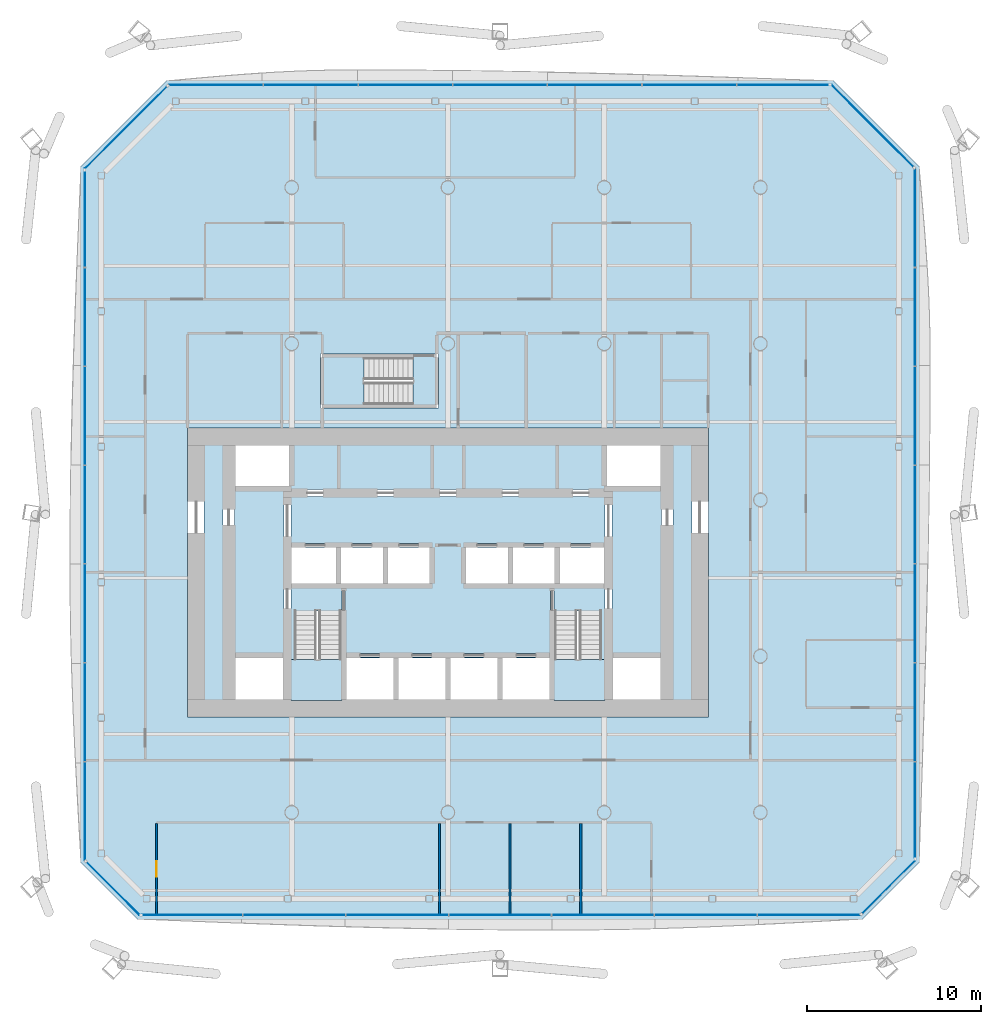
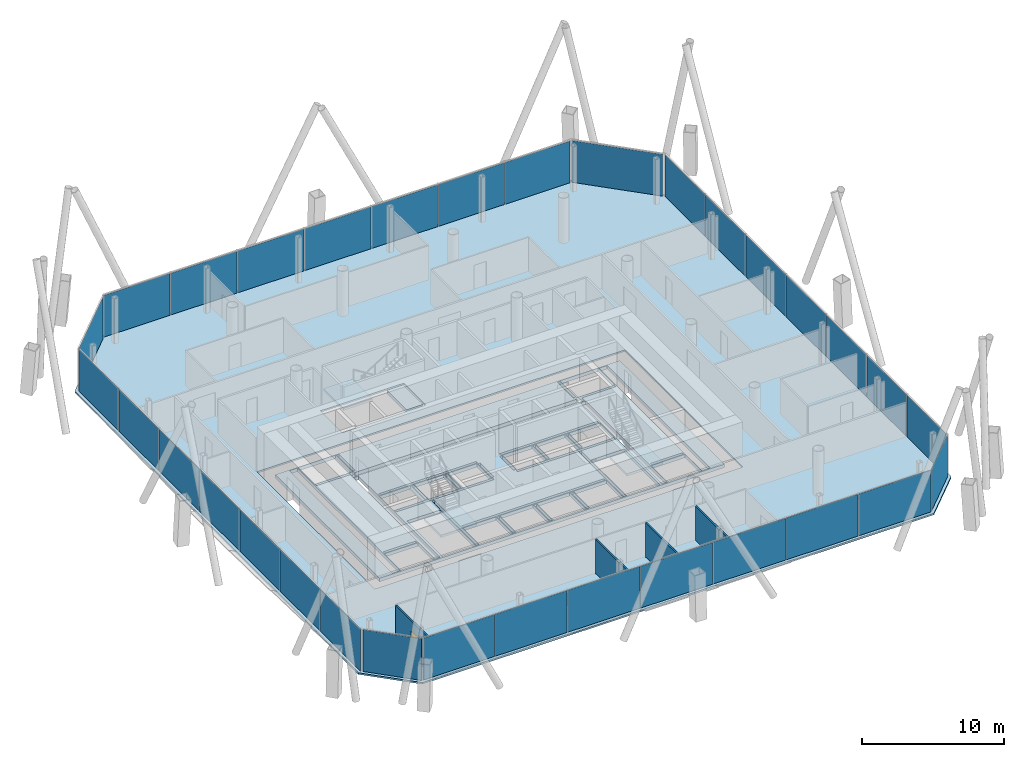
# One storey, part 13 of 22: 32 plates, 6 slabs, 4 walls, 1 door, 1 opening, 11 elements without a shape of their own.
"""IFC4 building model written with IfcOpenShell, lengths in metres."""

from ifc_helpers import new_model, si_unit, direction, frame, frame_2d, origin, origin_2d, place, context, subcontext, project, spatial, polyline, rectangle, outline, extrude, material, layer, layer_set, type_object, element, fill, aggregate, save


model = new_model("IFC4")

# Units and contexts
model_context = context("Model", 3, precision=1e-05, world=origin(), true_north=direction((0.0, 1.0)))
body_context = subcontext(model_context, "Body", "Model", "MODEL_VIEW")
ifc_project = project(units=[si_unit("LENGTHUNIT", "METRE"), si_unit("AREAUNIT", "SQUARE_METRE"), si_unit("VOLUMEUNIT", "CUBIC_METRE"), si_unit("PLANEANGLEUNIT", "RADIAN"), si_unit("MASSUNIT", "GRAM", prefix="KILO")], contexts=[model_context])

# Site, building, storey
site_placement = place(None, origin())
site = spatial("IfcSite", under=ifc_project, at=site_placement, CompositionType="ELEMENT")
building_placement = place(site_placement, origin())
building = spatial("IfcBuilding", under=site, at=building_placement, Name="Tskaro Facet Tower", CompositionType="ELEMENT")
storey_placement = place(building_placement, frame((0.0, 0.0, 97.199951171875)))
storey = spatial("IfcBuildingStorey", under=building, at=storey_placement, Name="L23", CompositionType="ELEMENT", Elevation=97.199951171875)

# Slab
ifc_material_1 = material(Name="Concrete C30/37", Category="concrete")
ifc_layer_1 = layer(ifc_material_1, 0.139892578125, Name="Concrete C30/37")
ifc_layer_set_1 = layer_set([ifc_layer_1], Name="Concrete C30/37")
slab_type_1 = type_object("IfcSlabType", Name="Composite deck floor slab", PredefinedType="FLOOR", material=ifc_layer_set_1)
slab_1_placement = place(storey_placement, frame((0.0, 0.0, -0.139892578125)))
element("IfcSlab", 1, at=slab_1_placement, inside=storey, type_object=slab_type_1, Name="Floor slab FS3 L23", PredefinedType="FLOOR", context=body_context, shape_type="SweptSolid", body=[
    extrude(outline(polyline([(-17.861083984375, -24.1650390625), (23.861083984375, -24.1650390625), (27.1650390625, -20.861083984375), (27.1650390625, 19.18701171875), (22.18701171875, 24.1650390625), (-16.18701171875, 24.1650390625), (-21.1650390625, 19.18701171875), (-21.1650390625, -20.861083984375), (-17.861083984375, -24.1650390625)]), holes=[polyline([(-15.0, -12.5), (15.0, -12.5), (15.0, 4.14990234375), (-15.0, 4.14990234375), (-15.0, -12.5)]), polyline([(-7.35009765625, 5.300048828125), (-0.550048828125, 5.300048828125), (-0.550048828125, 8.39990234375), (-7.35009765625, 8.39990234375), (-7.35009765625, 5.300048828125)])]), origin(), (0.0, 0.0, 1.0), 0.139892578125),
])

# Curtain wall, plates
ifc_material_2 = material(Name="Bronze anodised aluminium 6063-T6", Category="aluminium")
curtain_wall_type = type_object("IfcCurtainWallType", Name="Bronze office curtain wall (FW1)", PredefinedType="NOTDEFINED", material=ifc_material_2)
curtain_wall_1_placement = place(storey_placement, origin())
curtain_wall_1 = element("IfcCurtainWall", 2, at=curtain_wall_1_placement, inside=storey, type_object=curtain_wall_type, Name="FW1 south facet L23", PredefinedType="NOTDEFINED")
ifc_material_3 = material(Name="Bronze tinted glass", Category="glass")
ifc_layer_2 = layer(ifc_material_3, 0.031982421875, Name="Bronze tinted glass")
ifc_layer_set_2 = layer_set([ifc_layer_2], Name="Bronze tinted glass")
plate_type = type_object("IfcPlateType", Name="FW1 bronze-tinted unit glazing 32", PredefinedType="CURTAIN_PANEL", material=ifc_layer_set_2)
plate_1_placement = place(storey_placement, frame((-14.726806640625, -23.9150390625, 0.0), z_axis=(0.0, 0.0, 1.0), x_axis=(1.0, 0.0, 0.0)))
plate_1 = element("IfcPlate", 3, at=plate_1_placement, type_object=plate_type, Name="FW1 south glazing 1.1", PredefinedType="CURTAIN_PANEL", context=body_context, shape_type="SweptSolid", body=[
    extrude(rectangle(XDim=5.740478515625, YDim=0.031982421875, at=origin_2d()), origin(), (0.0, 0.0, 1.0), 3.60009765625),
])
plate_2_placement = place(storey_placement, frame((-8.861083984375, -23.9150390625, 0.0), z_axis=(0.0, 0.0, 1.0), x_axis=(1.0, 0.0, 0.0)))
plate_2 = element("IfcPlate", 4, at=plate_2_placement, type_object=plate_type, Name="FW1 south glazing 2.1", PredefinedType="CURTAIN_PANEL", context=body_context, shape_type="SweptSolid", body=[
    extrude(rectangle(XDim=5.87060546875, YDim=0.031982421875, at=origin_2d()), origin(), (0.0, 0.0, 1.0), 3.60009765625),
])
plate_3_placement = place(storey_placement, frame((-2.9306640625, -23.9150390625, 0.0), z_axis=(0.0, 0.0, 1.0), x_axis=(1.0, 0.0, 0.0)))
plate_3 = element("IfcPlate", 5, at=plate_3_placement, type_object=plate_type, Name="FW1 south glazing 3.1", PredefinedType="CURTAIN_PANEL", context=body_context, shape_type="SweptSolid", body=[
    extrude(rectangle(XDim=5.87060546875, YDim=0.031982421875, at=origin_2d()), origin(), (0.0, 0.0, 1.0), 3.60009765625),
])
plate_4_placement = place(storey_placement, frame((3.0, -23.9150390625, 0.0), z_axis=(0.0, 0.0, 1.0), x_axis=(1.0, 0.0, 0.0)))
plate_4 = element("IfcPlate", 6, at=plate_4_placement, type_object=plate_type, Name="FW1 south glazing 4.1", PredefinedType="CURTAIN_PANEL", context=body_context, shape_type="SweptSolid", body=[
    extrude(rectangle(XDim=5.87060546875, YDim=0.031982421875, at=origin_2d()), origin(), (0.0, 0.0, 1.0), 3.60009765625),
])
plate_5_placement = place(storey_placement, frame((8.9306640625, -23.9150390625, 0.0), z_axis=(0.0, 0.0, 1.0), x_axis=(1.0, 0.0, 0.0)))
plate_5 = element("IfcPlate", 7, at=plate_5_placement, type_object=plate_type, Name="FW1 south glazing 5.1", PredefinedType="CURTAIN_PANEL", context=body_context, shape_type="SweptSolid", body=[
    extrude(rectangle(XDim=5.87060546875, YDim=0.031982421875, at=origin_2d()), origin(), (0.0, 0.0, 1.0), 3.60009765625),
])
plate_6_placement = place(storey_placement, frame((14.861083984375, -23.9150390625, 0.0), z_axis=(0.0, 0.0, 1.0), x_axis=(1.0, 0.0, 0.0)))
plate_6 = element("IfcPlate", 8, at=plate_6_placement, type_object=plate_type, Name="FW1 south glazing 6.1", PredefinedType="CURTAIN_PANEL", context=body_context, shape_type="SweptSolid", body=[
    extrude(rectangle(XDim=5.87060546875, YDim=0.031982421875, at=origin_2d()), origin(), (0.0, 0.0, 1.0), 3.60009765625),
])
plate_7_placement = place(storey_placement, frame((20.806640625, -23.9150390625, 0.0), z_axis=(0.0, 0.0, 1.0), x_axis=(1.0, 0.0, 0.0)))
plate_7 = element("IfcPlate", 9, at=plate_7_placement, type_object=plate_type, Name="FW1 south glazing 7.1", PredefinedType="CURTAIN_PANEL", context=body_context, shape_type="SweptSolid", body=[
    extrude(rectangle(XDim=5.900634765625, YDim=0.031982421875, at=origin_2d()), origin(), (0.0, 0.0, 1.0), 3.60009765625),
])
aggregate(curtain_wall_1, [plate_1, plate_2, plate_3, plate_4, plate_5, plate_6, plate_7])

# Curtain wall, plate
curtain_wall_2_placement = place(storey_placement, origin())
curtain_wall_2 = element("IfcCurtainWall", 10, at=curtain_wall_2_placement, inside=storey, type_object=curtain_wall_type, Name="FW1 south-east facet L23", PredefinedType="NOTDEFINED")
plate_8_placement = place(storey_placement, frame((25.392578125, -22.279541015625, 0.0), z_axis=(0.0, 0.0, 1.0), x_axis=(0.707106781187, 0.707106781187, 0.0)))
plate_8 = element("IfcPlate", 11, at=plate_8_placement, type_object=plate_type, Name="FW1 south-east glazing 1.1", PredefinedType="CURTAIN_PANEL", context=body_context, shape_type="SweptSolid", body=[
    extrude(rectangle(XDim=4.30615234375, YDim=0.031982421875, at=origin_2d()), origin(), (0.0, 0.0, 1.0), 3.60009765625),
])
aggregate(curtain_wall_2, [plate_8])

# Curtain wall, plates
curtain_wall_3_placement = place(storey_placement, origin())
curtain_wall_3 = element("IfcCurtainWall", 12, at=curtain_wall_3_placement, inside=storey, type_object=curtain_wall_type, Name="FW1 east facet L23", PredefinedType="NOTDEFINED")
plate_9_placement = place(storey_placement, frame((26.9150390625, -17.84619140625, 0.0), z_axis=(0.0, 0.0, 1.0), x_axis=(0.0, 1.0, 0.0)))
plate_9 = element("IfcPlate", 13, at=plate_9_placement, type_object=plate_type, Name="FW1 east glazing 1.1", PredefinedType="CURTAIN_PANEL", context=body_context, shape_type="SweptSolid", body=[
    extrude(rectangle(XDim=5.50146484375, YDim=0.031982421875, at=origin_2d()), origin(), (0.0, 0.0, 1.0), 3.60009765625),
])
plate_10_placement = place(storey_placement, frame((26.9150390625, -12.219970703125, 0.0), z_axis=(0.0, 0.0, 1.0), x_axis=(0.0, 1.0, 0.0)))
plate_10 = element("IfcPlate", 14, at=plate_10_placement, type_object=plate_type, Name="FW1 east glazing 2.1", PredefinedType="CURTAIN_PANEL", context=body_context, shape_type="SweptSolid", body=[
    extrude(rectangle(XDim=5.63134765625, YDim=0.031982421875, at=origin_2d()), origin(), (0.0, 0.0, 1.0), 3.60009765625),
])
plate_11_placement = place(storey_placement, frame((26.9150390625, -6.5283203125, 0.0), z_axis=(0.0, 0.0, 1.0), x_axis=(0.0, 1.0, 0.0)))
plate_11 = element("IfcPlate", 15, at=plate_11_placement, type_object=plate_type, Name="FW1 east glazing 3.1", PredefinedType="CURTAIN_PANEL", context=body_context, shape_type="SweptSolid", body=[
    extrude(rectangle(XDim=5.63134765625, YDim=0.031982421875, at=origin_2d()), origin(), (0.0, 0.0, 1.0), 3.60009765625),
])
plate_12_placement = place(storey_placement, frame((26.9150390625, -0.8369140625, 0.0), z_axis=(0.0, 0.0, 1.0), x_axis=(0.0, 1.0, 0.0)))
plate_12 = element("IfcPlate", 16, at=plate_12_placement, type_object=plate_type, Name="FW1 east glazing 4.1", PredefinedType="CURTAIN_PANEL", context=body_context, shape_type="SweptSolid", body=[
    extrude(rectangle(XDim=5.63134765625, YDim=0.031982421875, at=origin_2d()), origin(), (0.0, 0.0, 1.0), 3.60009765625),
])
plate_13_placement = place(storey_placement, frame((26.9150390625, 4.8544921875, 0.0), z_axis=(0.0, 0.0, 1.0), x_axis=(0.0, 1.0, 0.0)))
plate_13 = element("IfcPlate", 17, at=plate_13_placement, type_object=plate_type, Name="FW1 east glazing 5.1", PredefinedType="CURTAIN_PANEL", context=body_context, shape_type="SweptSolid", body=[
    extrude(rectangle(XDim=5.63134765625, YDim=0.031982421875, at=origin_2d()), origin(), (0.0, 0.0, 1.0), 3.60009765625),
])
plate_14_placement = place(storey_placement, frame((26.9150390625, 10.5458984375, 0.0), z_axis=(0.0, 0.0, 1.0), x_axis=(0.0, 1.0, 0.0)))
plate_14 = element("IfcPlate", 18, at=plate_14_placement, type_object=plate_type, Name="FW1 east glazing 6.1", PredefinedType="CURTAIN_PANEL", context=body_context, shape_type="SweptSolid", body=[
    extrude(rectangle(XDim=5.63134765625, YDim=0.031982421875, at=origin_2d()), origin(), (0.0, 0.0, 1.0), 3.60009765625),
])
plate_15_placement = place(storey_placement, frame((26.9150390625, 16.252197265625, 0.0), z_axis=(0.0, 0.0, 1.0), x_axis=(0.0, 1.0, 0.0)))
plate_15 = element("IfcPlate", 19, at=plate_15_placement, type_object=plate_type, Name="FW1 east glazing 7.1", PredefinedType="CURTAIN_PANEL", context=body_context, shape_type="SweptSolid", body=[
    extrude(rectangle(XDim=5.661376953125, YDim=0.031982421875, at=origin_2d()), origin(), (0.0, 0.0, 1.0), 3.60009765625),
])
aggregate(curtain_wall_3, [plate_9, plate_10, plate_11, plate_12, plate_13, plate_14, plate_15])

# Curtain wall, plate
curtain_wall_4_placement = place(storey_placement, origin())
curtain_wall_4 = element("IfcCurtainWall", 20, at=curtain_wall_4_placement, inside=storey, type_object=curtain_wall_type, Name="FW1 north-east facet L23", PredefinedType="NOTDEFINED")
plate_16_placement = place(storey_placement, frame((24.4423828125, 21.5556640625, 0.0), z_axis=(0.0, 0.0, 1.0), x_axis=(-0.707106781187, 0.707106781187, 0.0)))
plate_16 = element("IfcPlate", 21, at=plate_16_placement, type_object=plate_type, Name="FW1 north-east glazing 1.1", PredefinedType="CURTAIN_PANEL", context=body_context, shape_type="SweptSolid", body=[
    extrude(rectangle(XDim=6.673583984375, YDim=0.031982421875, at=origin_2d()), origin(), (0.0, 0.0, 1.0), 3.60009765625),
])
aggregate(curtain_wall_4, [plate_16])

# Curtain wall, plates
curtain_wall_5_placement = place(storey_placement, origin())
curtain_wall_5 = element("IfcCurtainWall", 22, at=curtain_wall_5_placement, inside=storey, type_object=curtain_wall_type, Name="FW1 north facet L23", PredefinedType="NOTDEFINED")
plate_17_placement = place(storey_placement, frame((19.291748046875, 23.9150390625, 0.0), z_axis=(0.0, 0.0, 1.0), x_axis=(-1.0, 0.0, 0.0)))
plate_17 = element("IfcPlate", 23, at=plate_17_placement, type_object=plate_type, Name="FW1 north glazing 1.1", PredefinedType="CURTAIN_PANEL", context=body_context, shape_type="SweptSolid", body=[
    extrude(rectangle(XDim=5.26220703125, YDim=0.031982421875, at=origin_2d()), origin(), (0.0, 0.0, 1.0), 3.60009765625),
])
plate_18_placement = place(storey_placement, frame((13.904541015625, 23.9150390625, 0.0), z_axis=(0.0, 0.0, 1.0), x_axis=(-1.0, 0.0, 0.0)))
plate_18 = element("IfcPlate", 24, at=plate_18_placement, type_object=plate_type, Name="FW1 north glazing 2.1", PredefinedType="CURTAIN_PANEL", context=body_context, shape_type="SweptSolid", body=[
    extrude(rectangle(XDim=5.392333984375, YDim=0.031982421875, at=origin_2d()), origin(), (0.0, 0.0, 1.0), 3.60009765625),
])
plate_19_placement = place(storey_placement, frame((8.452392578125, 23.9150390625, 0.0), z_axis=(0.0, 0.0, 1.0), x_axis=(-1.0, 0.0, 0.0)))
plate_19 = element("IfcPlate", 25, at=plate_19_placement, type_object=plate_type, Name="FW1 north glazing 3.1", PredefinedType="CURTAIN_PANEL", context=body_context, shape_type="SweptSolid", body=[
    extrude(rectangle(XDim=5.392333984375, YDim=0.031982421875, at=origin_2d()), origin(), (0.0, 0.0, 1.0), 3.60009765625),
])
plate_20_placement = place(storey_placement, frame((3.0, 23.9150390625, 0.0), z_axis=(0.0, 0.0, 1.0), x_axis=(-1.0, 0.0, 0.0)))
plate_20 = element("IfcPlate", 26, at=plate_20_placement, type_object=plate_type, Name="FW1 north glazing 4.1", PredefinedType="CURTAIN_PANEL", context=body_context, shape_type="SweptSolid", body=[
    extrude(rectangle(XDim=5.392333984375, YDim=0.031982421875, at=origin_2d()), origin(), (0.0, 0.0, 1.0), 3.60009765625),
])
plate_21_placement = place(storey_placement, frame((-2.452392578125, 23.9150390625, 0.0), z_axis=(0.0, 0.0, 1.0), x_axis=(-1.0, 0.0, 0.0)))
plate_21 = element("IfcPlate", 27, at=plate_21_placement, type_object=plate_type, Name="FW1 north glazing 5.1", PredefinedType="CURTAIN_PANEL", context=body_context, shape_type="SweptSolid", body=[
    extrude(rectangle(XDim=5.392333984375, YDim=0.031982421875, at=origin_2d()), origin(), (0.0, 0.0, 1.0), 3.60009765625),
])
plate_22_placement = place(storey_placement, frame((-7.904541015625, 23.9150390625, 0.0), z_axis=(0.0, 0.0, 1.0), x_axis=(-1.0, 0.0, 0.0)))
plate_22 = element("IfcPlate", 28, at=plate_22_placement, type_object=plate_type, Name="FW1 north glazing 6.1", PredefinedType="CURTAIN_PANEL", context=body_context, shape_type="SweptSolid", body=[
    extrude(rectangle(XDim=5.392333984375, YDim=0.031982421875, at=origin_2d()), origin(), (0.0, 0.0, 1.0), 3.60009765625),
])
plate_23_placement = place(storey_placement, frame((-13.371826171875, 23.9150390625, 0.0), z_axis=(0.0, 0.0, 1.0), x_axis=(-1.0, 0.0, 0.0)))
plate_23 = element("IfcPlate", 29, at=plate_23_placement, type_object=plate_type, Name="FW1 north glazing 7.1", PredefinedType="CURTAIN_PANEL", context=body_context, shape_type="SweptSolid", body=[
    extrude(rectangle(XDim=5.42236328125, YDim=0.031982421875, at=origin_2d()), origin(), (0.0, 0.0, 1.0), 3.60009765625),
])
aggregate(curtain_wall_5, [plate_17, plate_18, plate_19, plate_20, plate_21, plate_22, plate_23])

# Curtain wall, plate
curtain_wall_6_placement = place(storey_placement, origin())
curtain_wall_6 = element("IfcCurtainWall", 30, at=curtain_wall_6_placement, inside=storey, type_object=curtain_wall_type, Name="FW1 north-west facet L23", PredefinedType="NOTDEFINED")
plate_24_placement = place(storey_placement, frame((-18.5556640625, 21.4423828125, 0.0), z_axis=(0.0, 0.0, 1.0), x_axis=(-0.707106781187, -0.707106781187, 0.0)))
plate_24 = element("IfcPlate", 31, at=plate_24_placement, type_object=plate_type, Name="FW1 north-west glazing 1.1", PredefinedType="CURTAIN_PANEL", context=body_context, shape_type="SweptSolid", body=[
    extrude(rectangle(XDim=6.673583984375, YDim=0.031982421875, at=origin_2d()), origin(), (0.0, 0.0, 1.0), 3.60009765625),
])
aggregate(curtain_wall_6, [plate_24])

# Curtain wall, plates
curtain_wall_7_placement = place(storey_placement, origin())
curtain_wall_7 = element("IfcCurtainWall", 32, at=curtain_wall_7_placement, inside=storey, type_object=curtain_wall_type, Name="FW1 west facet L23", PredefinedType="NOTDEFINED")
plate_25_placement = place(storey_placement, frame((-20.9150390625, 16.17236328125, 0.0), z_axis=(0.0, 0.0, 1.0), x_axis=(0.0, -1.0, 0.0)))
plate_25 = element("IfcPlate", 33, at=plate_25_placement, type_object=plate_type, Name="FW1 west glazing 1.1", PredefinedType="CURTAIN_PANEL", context=body_context, shape_type="SweptSolid", body=[
    extrude(rectangle(XDim=5.50146484375, YDim=0.031982421875, at=origin_2d()), origin(), (0.0, 0.0, 1.0), 3.60009765625),
])
plate_26_placement = place(storey_placement, frame((-20.9150390625, 10.5458984375, 0.0), z_axis=(0.0, 0.0, 1.0), x_axis=(0.0, -1.0, 0.0)))
plate_26 = element("IfcPlate", 34, at=plate_26_placement, type_object=plate_type, Name="FW1 west glazing 2.1", PredefinedType="CURTAIN_PANEL", context=body_context, shape_type="SweptSolid", body=[
    extrude(rectangle(XDim=5.63134765625, YDim=0.031982421875, at=origin_2d()), origin(), (0.0, 0.0, 1.0), 3.60009765625),
])
plate_27_placement = place(storey_placement, frame((-20.9150390625, 4.8544921875, 0.0), z_axis=(0.0, 0.0, 1.0), x_axis=(0.0, -1.0, 0.0)))
plate_27 = element("IfcPlate", 35, at=plate_27_placement, type_object=plate_type, Name="FW1 west glazing 3.1", PredefinedType="CURTAIN_PANEL", context=body_context, shape_type="SweptSolid", body=[
    extrude(rectangle(XDim=5.63134765625, YDim=0.031982421875, at=origin_2d()), origin(), (0.0, 0.0, 1.0), 3.60009765625),
])
plate_28_placement = place(storey_placement, frame((-20.9150390625, -0.8369140625, 0.0), z_axis=(0.0, 0.0, 1.0), x_axis=(0.0, -1.0, 0.0)))
plate_28 = element("IfcPlate", 36, at=plate_28_placement, type_object=plate_type, Name="FW1 west glazing 4.1", PredefinedType="CURTAIN_PANEL", context=body_context, shape_type="SweptSolid", body=[
    extrude(rectangle(XDim=5.63134765625, YDim=0.031982421875, at=origin_2d()), origin(), (0.0, 0.0, 1.0), 3.60009765625),
])
plate_29_placement = place(storey_placement, frame((-20.9150390625, -6.5283203125, 0.0), z_axis=(0.0, 0.0, 1.0), x_axis=(0.0, -1.0, 0.0)))
plate_29 = element("IfcPlate", 37, at=plate_29_placement, type_object=plate_type, Name="FW1 west glazing 5.1", PredefinedType="CURTAIN_PANEL", context=body_context, shape_type="SweptSolid", body=[
    extrude(rectangle(XDim=5.63134765625, YDim=0.031982421875, at=origin_2d()), origin(), (0.0, 0.0, 1.0), 3.60009765625),
])
plate_30_placement = place(storey_placement, frame((-20.9150390625, -12.219970703125, 0.0), z_axis=(0.0, 0.0, 1.0), x_axis=(0.0, -1.0, 0.0)))
plate_30 = element("IfcPlate", 38, at=plate_30_placement, type_object=plate_type, Name="FW1 west glazing 6.1", PredefinedType="CURTAIN_PANEL", context=body_context, shape_type="SweptSolid", body=[
    extrude(rectangle(XDim=5.63134765625, YDim=0.031982421875, at=origin_2d()), origin(), (0.0, 0.0, 1.0), 3.60009765625),
])
plate_31_placement = place(storey_placement, frame((-20.9150390625, -17.92626953125, 0.0), z_axis=(0.0, 0.0, 1.0), x_axis=(0.0, -1.0, 0.0)))
plate_31 = element("IfcPlate", 39, at=plate_31_placement, type_object=plate_type, Name="FW1 west glazing 7.1", PredefinedType="CURTAIN_PANEL", context=body_context, shape_type="SweptSolid", body=[
    extrude(rectangle(XDim=5.661376953125, YDim=0.031982421875, at=origin_2d()), origin(), (0.0, 0.0, 1.0), 3.60009765625),
])
aggregate(curtain_wall_7, [plate_25, plate_26, plate_27, plate_28, plate_29, plate_30, plate_31])

# Curtain wall, plate
curtain_wall_8_placement = place(storey_placement, origin())
curtain_wall_8 = element("IfcCurtainWall", 40, at=curtain_wall_8_placement, inside=storey, type_object=curtain_wall_type, Name="FW1 south-west facet L23", PredefinedType="NOTDEFINED")
plate_32_placement = place(storey_placement, frame((-19.279541015625, -22.392578125, 0.0), z_axis=(0.0, 0.0, 1.0), x_axis=(0.707106781187, -0.707106781187, 0.0)))
plate_32 = element("IfcPlate", 41, at=plate_32_placement, type_object=plate_type, Name="FW1 south-west glazing 1.1", PredefinedType="CURTAIN_PANEL", context=body_context, shape_type="SweptSolid", body=[
    extrude(rectangle(XDim=4.30615234375, YDim=0.031982421875, at=origin_2d()), origin(), (0.0, 0.0, 1.0), 3.60009765625),
])
aggregate(curtain_wall_8, [plate_32])

# Stair, slab
ifc_material_4 = material(Name="Concrete C40/50", Category="concrete")
stair_type = type_object("IfcStairType", Name="ST-TWR", PredefinedType="HALF_TURN_STAIR", material=ifc_material_4)
stair_1_placement = place(storey_placement, origin())
stair_1 = element("IfcStair", 42, at=stair_1_placement, inside=storey, type_object=stair_type, Name="L23 Exit stair 1", PredefinedType="HALF_TURN_STAIR")
ifc_layer_3 = layer(ifc_material_4, 0.199951171875, Name="Concrete C40/50")
ifc_layer_set_3 = layer_set([ifc_layer_3], Name="Concrete C40/50")
slab_type_2 = type_object("IfcSlabType", Name="SL-LANDING", PredefinedType="LANDING", material=ifc_layer_set_3)
slab_2_placement = place(storey_placement, frame((0.0, 0.0, 1.75)))
slab_2 = element("IfcSlab", 43, at=slab_2_placement, type_object=slab_type_2, Name="ST-1 landing 1", PredefinedType="LANDING", context=body_context, shape_type="SweptSolid", body=[
    extrude(outline(polyline([(-9.050048828125, -11.550048828125), (-6.10009765625, -11.550048828125), (-6.10009765625, -9.175048828125), (-9.050048828125, -9.175048828125), (-9.050048828125, -11.550048828125)])), origin(), (0.0, 0.0, 1.0), 0.199951171875),
])
aggregate(stair_1, [slab_2])

stair_2_placement = place(storey_placement, origin())
stair_2 = element("IfcStair", 44, at=stair_2_placement, inside=storey, type_object=stair_type, Name="L23 Exit stair 2", PredefinedType="HALF_TURN_STAIR")
slab_3_placement = place(storey_placement, frame((0.0, 0.0, 1.75)))
slab_3 = element("IfcSlab", 45, at=slab_3_placement, type_object=slab_type_2, Name="ST-2 landing 1", PredefinedType="LANDING", context=body_context, shape_type="SweptSolid", body=[
    extrude(outline(polyline([(6.10009765625, -11.550048828125), (9.050048828125, -11.550048828125), (9.050048828125, -9.175048828125), (6.10009765625, -9.175048828125), (6.10009765625, -11.550048828125)])), origin(), (0.0, 0.0, 1.0), 0.199951171875),
])
aggregate(stair_2, [slab_3])

stair_3_placement = place(storey_placement, origin())
stair_3 = element("IfcStair", 46, at=stair_3_placement, inside=storey, type_object=stair_type, Name="L23 Exit stair 3", PredefinedType="HALF_TURN_STAIR")
slab_4_placement = place(storey_placement, frame((0.0, 0.0, 1.75)))
slab_4 = element("IfcSlab", 47, at=slab_4_placement, type_object=slab_type_2, Name="ST-3 landing 1", PredefinedType="LANDING", context=body_context, shape_type="SweptSolid", body=[
    extrude(outline(polyline([(-7.199951171875, 5.449951171875), (-4.824951171875, 5.449951171875), (-4.824951171875, 8.25), (-7.199951171875, 8.25), (-7.199951171875, 5.449951171875)])), origin(), (0.0, 0.0, 1.0), 0.199951171875),
])
aggregate(stair_3, [slab_4])

# Slabs
ifc_material_5 = material(Name="Concrete C60/75", Category="concrete")
ifc_layer_4 = layer(ifc_material_5, 0.300048828125, Name="Concrete C60/75")
ifc_layer_set_4 = layer_set([ifc_layer_4], Name="Concrete C60/75")
slab_type_3 = type_object("IfcSlabType", Name="SLAB-CORE", PredefinedType="FLOOR", material=ifc_layer_set_4)
slab_5_placement = place(storey_placement, frame((0.0, 0.0, -0.300048828125)))
element("IfcSlab", 48, at=slab_5_placement, inside=storey, type_object=slab_type_3, Name="Core floor slab 1", PredefinedType="FLOOR", context=body_context, shape_type="SweptSolid", body=[
    extrude(outline(polyline([(-14.050048828125, 3.199951171875), (14.050048828125, 3.199951171875), (14.050048828125, 3.10009765625), (14.050048828125, -11.449951171875), (14.050048828125, -11.550048828125), (-14.050048828125, -11.550048828125), (-14.050048828125, -11.449951171875), (-14.050048828125, 3.10009765625), (-14.050048828125, 3.199951171875)]), holes=[polyline([(-9.5, -9.10009765625), (-12.25, -9.10009765625), (-12.25, -11.5), (-9.5, -11.5), (-9.5, -9.10009765625)]), polyline([(-3.14990234375, -9.10009765625), (-5.85009765625, -9.10009765625), (-5.85009765625, -11.5), (-3.14990234375, -11.5), (-3.14990234375, -9.10009765625)]), polyline([(-12.199951171875, -8.85009765625), (-12.199951171875, -9.050048828125), (-9.550048828125, -9.050048828125), (-9.550048828125, -8.85009765625), (-12.199951171875, -8.85009765625)]), polyline([(-6.10009765625, -11.449951171875), (-5.89990234375, -11.449951171875), (-5.89990234375, -5.14990234375), (-6.10009765625, -5.14990234375), (-6.10009765625, -11.449951171875)]), polyline([(-9.449951171875, 0.10009765625), (-9.449951171875, -11.449951171875), (-9.050048828125, -11.449951171875), (-9.050048828125, 0.10009765625), (-9.449951171875, 0.10009765625)]), polyline([(-8.949951171875, -4.85009765625), (-8.949951171875, -5.050048828125), (-0.949951171875, -5.050048828125), (-0.949951171875, -4.85009765625), (-8.949951171875, -4.85009765625)]), polyline([(-12.949951171875, -11.449951171875), (-12.300048828125, -11.449951171875), (-12.300048828125, 3.10009765625), (-12.949951171875, 3.10009765625), (-12.949951171875, -11.449951171875)]), polyline([(-6.449951171875, -4.800048828125), (-6.449951171875, -2.75), (-9.0, -2.75), (-9.0, -4.800048828125), (-6.449951171875, -4.800048828125)]), polyline([(-6.14990234375, -4.800048828125), (-3.75, -4.800048828125), (-3.75, -2.75), (-6.14990234375, -2.75), (-6.14990234375, -4.800048828125)]), polyline([(-6.39990234375, -2.800048828125), (-6.39990234375, -4.75), (-6.199951171875, -4.75), (-6.199951171875, -2.800048828125), (-6.39990234375, -2.800048828125)]), polyline([(-8.949951171875, -2.5), (-8.949951171875, -2.699951171875), (-0.949951171875, -2.699951171875), (-0.949951171875, -2.5), (-8.949951171875, -2.5)]), polyline([(9.449951171875, 0.550048828125), (12.199951171875, 0.550048828125), (12.199951171875, 0.75), (9.050048828125, 0.75), (9.050048828125, 0.60009765625), (-9.050048828125, 0.60009765625), (-9.050048828125, 0.75), (-12.199951171875, 0.75), (-12.199951171875, 0.550048828125), (-9.449951171875, 0.550048828125), (-9.449951171875, 0.199951171875), (9.449951171875, 0.199951171875), (9.449951171875, 0.550048828125)]), polyline([(-9.10009765625, 3.10009765625), (-9.10009765625, 0.85009765625), (-8.89990234375, 0.85009765625), (-8.89990234375, 3.10009765625), (-9.10009765625, 3.10009765625)]), polyline([(-9.14990234375, 0.800048828125), (-9.14990234375, 3.14990234375), (-12.25, 3.14990234375), (-12.25, 0.800048828125), (-9.14990234375, 0.800048828125)]), polyline([(2.89990234375, -11.449951171875), (3.10009765625, -11.449951171875), (3.10009765625, -9.14990234375), (2.89990234375, -9.14990234375), (2.89990234375, -11.449951171875)]), polyline([(-3.10009765625, -9.14990234375), (-3.10009765625, -11.449951171875), (-2.89990234375, -11.449951171875), (-2.89990234375, -9.14990234375), (-3.10009765625, -9.14990234375)]), polyline([(2.85009765625, -9.10009765625), (0.14990234375, -9.10009765625), (0.14990234375, -11.5), (2.85009765625, -11.5), (2.85009765625, -9.10009765625)]), polyline([(-0.14990234375, -9.10009765625), (-2.85009765625, -9.10009765625), (-2.85009765625, -11.5), (-0.14990234375, -11.5), (-0.14990234375, -9.10009765625)]), polyline([(-0.10009765625, -9.14990234375), (-0.10009765625, -11.449951171875), (0.10009765625, -11.449951171875), (0.10009765625, -9.14990234375), (-0.10009765625, -9.14990234375)]), polyline([(-5.800048828125, -8.85009765625), (-5.800048828125, -9.050048828125), (5.800048828125, -9.050048828125), (5.800048828125, -8.85009765625), (-5.800048828125, -8.85009765625)]), polyline([(-1.0, -2.800048828125), (-1.0, -4.75), (-0.800048828125, -4.75), (-0.800048828125, -2.800048828125), (-1.0, -2.800048828125)]), polyline([(0.800048828125, -4.75), (1.0, -4.75), (1.0, -2.800048828125), (0.800048828125, -2.800048828125), (0.800048828125, -4.75)]), polyline([(-1.050048828125, -4.800048828125), (-1.050048828125, -2.75), (-3.449951171875, -2.75), (-3.449951171875, -4.800048828125), (-1.050048828125, -4.800048828125)]), polyline([(3.449951171875, -4.800048828125), (3.449951171875, -2.75), (1.050048828125, -2.75), (1.050048828125, -4.800048828125), (3.449951171875, -4.800048828125)]), polyline([(-3.699951171875, -4.75), (-3.5, -4.75), (-3.5, -2.800048828125), (-3.699951171875, -2.800048828125), (-3.699951171875, -4.75)]), polyline([(3.14990234375, -9.10009765625), (3.14990234375, -11.5), (5.85009765625, -11.5), (5.85009765625, -9.10009765625), (3.14990234375, -9.10009765625)]), polyline([(12.25, -11.5), (12.25, -9.10009765625), (9.5, -9.10009765625), (9.5, -11.5), (12.25, -11.5)]), polyline([(9.550048828125, -8.85009765625), (9.550048828125, -9.050048828125), (12.199951171875, -9.050048828125), (12.199951171875, -8.85009765625), (9.550048828125, -8.85009765625)]), polyline([(5.89990234375, -11.449951171875), (6.10009765625, -11.449951171875), (6.10009765625, -5.14990234375), (5.89990234375, -5.14990234375), (5.89990234375, -11.449951171875)]), polyline([(9.050048828125, 0.10009765625), (9.050048828125, -11.449951171875), (9.449951171875, -11.449951171875), (9.449951171875, 0.10009765625), (9.050048828125, 0.10009765625)]), polyline([(0.949951171875, -4.85009765625), (0.949951171875, -5.050048828125), (8.949951171875, -5.050048828125), (8.949951171875, -4.85009765625), (0.949951171875, -4.85009765625)]), polyline([(12.300048828125, -11.449951171875), (12.949951171875, -11.449951171875), (12.949951171875, 3.10009765625), (12.300048828125, 3.10009765625), (12.300048828125, -11.449951171875)]), polyline([(3.5, -2.800048828125), (3.5, -4.75), (3.699951171875, -4.75), (3.699951171875, -2.800048828125), (3.5, -2.800048828125)]), polyline([(3.75, -2.75), (3.75, -4.800048828125), (6.14990234375, -4.800048828125), (6.14990234375, -2.75), (3.75, -2.75)]), polyline([(6.199951171875, -2.800048828125), (6.199951171875, -4.75), (6.39990234375, -4.75), (6.39990234375, -2.800048828125), (6.199951171875, -2.800048828125)]), polyline([(6.449951171875, -2.75), (6.449951171875, -4.800048828125), (9.0, -4.800048828125), (9.0, -2.75), (6.449951171875, -2.75)]), polyline([(0.949951171875, -2.5), (0.949951171875, -2.699951171875), (8.949951171875, -2.699951171875), (8.949951171875, -2.5), (0.949951171875, -2.5)]), polyline([(8.89990234375, 3.10009765625), (8.89990234375, 0.85009765625), (9.10009765625, 0.85009765625), (9.10009765625, 3.10009765625), (8.89990234375, 3.10009765625)]), polyline([(9.14990234375, 0.800048828125), (12.25, 0.800048828125), (12.25, 3.14990234375), (9.14990234375, 3.14990234375), (9.14990234375, 0.800048828125)]), polyline([(-8.85009765625, -11.5), (-6.14990234375, -11.5), (-6.14990234375, -6.39501953125), (-8.85009765625, -6.39501953125), (-8.85009765625, -11.5)]), polyline([(6.14990234375, -6.39501953125), (6.14990234375, -11.5), (8.85009765625, -11.5), (8.85009765625, -6.39501953125), (6.14990234375, -6.39501953125)])]), origin(), (0.0, 0.0, 1.0), 0.300048828125),
])
slab_6_placement = place(storey_placement, frame((0.0, 0.0, -0.300048828125)))
element("IfcSlab", 49, at=slab_6_placement, inside=storey, type_object=slab_type_3, Name="Stair 3 floor landing 1", PredefinedType="FLOOR", context=body_context, shape_type="SweptSolid", body=[
    extrude(outline(polyline([(-2.02490234375, 5.449951171875), (-0.699951171875, 5.449951171875), (-0.699951171875, 8.25), (-2.02490234375, 8.25), (-2.02490234375, 5.449951171875)])), origin(), (0.0, 0.0, 1.0), 0.300048828125),
])

# Wall, opening, door
ifc_material_6 = material(Name="Gypsum board on steel studs", Category="steel")
ifc_layer_5 = layer(ifc_material_6, 0.125, Name="Gypsum board on steel studs")
ifc_layer_set_5 = layer_set([ifc_layer_5], Name="Gypsum board on steel studs")
wall_type = type_object("IfcWallType", Name="PART", PredefinedType="PARTITIONING", material=ifc_layer_set_5)
wall_placement = place(storey_placement, frame((-16.783935546875, -18.642578125, 0.0), z_axis=(0.0, 0.0, 1.0), x_axis=(0.0, -1.0, 0.0)))
wall = element("IfcWall", 50, at=wall_placement, inside=storey, type_object=wall_type, Name="Partition W030", PredefinedType="PARTITIONING", context=body_context, shape_type="SweptSolid", body=[
    extrude(rectangle(XDim=5.222412109375, YDim=0.125, at=frame_2d((2.611328125, 0.0))), origin(), (0.0, 0.0, 1.0), 2.9599609375),
])
opening_placement = place(wall_placement, frame((2.1611328125, 0.0, 0.0)))
opening = element("IfcOpeningElement", 51, at=opening_placement, cuts=wall, Name="Opening T7-D01", PredefinedType="OPENING", context=body_context, shape_type="SweptSolid", body=[
    extrude(rectangle(XDim=0.89990234375, YDim=2.10009765625, at=frame_2d((0.449951171875, 1.050048828125))), frame((0.0, 0.072509765625, 0.0), z_axis=(0.0, -1.0, 0.0), x_axis=(1.0, 0.0, 0.0)), (0.0, 0.0, 1.0), 0.14501953125),
])
ifc_material_7 = material(Name="Timber", Category="wood")
door_type = type_object("IfcDoorType", Name="D-ROOM", OperationType="NOTDEFINED", PredefinedType="DOOR", material=ifc_material_7)
door_placement = place(opening_placement, origin())
door = element("IfcDoor", 52, at=door_placement, inside=storey, type_object=door_type, Name="Door T7-D01", OperationType="SINGLE_SWING_RIGHT", OverallHeight=2.10009765625, OverallWidth=0.89990234375, PredefinedType="DOOR", context=body_context, shape_type="SweptSolid", body=[
    extrude(rectangle(XDim=0.89990234375, YDim=2.10009765625, at=frame_2d((0.449951171875, 1.050048828125))), frame((0.0, 0.02490234375, 0.0), z_axis=(0.0, -1.0, 0.0), x_axis=(1.0, 0.0, 0.0)), (0.0, 0.0, 1.0), 0.050048828125),
])
fill(opening, door)

# Walls
for number, where, z_axis, x_axis, name in (
    (53, (-0.492919921875, -23.864990234375, 0.0), (0.0, 0.0, 1.0), (0.0, 1.0, 0.0), "Partition W049"),
    (54, (3.580078125, -23.864990234375, 0.0), (0.0, 0.0, 1.0), (0.0, 1.0, 0.0), "Partition W055"),
    (55, (7.653076171875, -23.864990234375, 0.0), (0.0, 0.0, 1.0), (0.0, 1.0, 0.0), "Partition W063"),
):
    element("IfcWall", number, at=place(storey_placement, frame(where, z_axis=z_axis, x_axis=x_axis)), inside=storey, type_object=wall_type, Name=name, PredefinedType="PARTITIONING", context=body_context, shape_type="SweptSolid", body=[
        extrude(rectangle(XDim=5.222412109375, YDim=0.125, at=frame_2d((2.611328125, 0.0))), origin(), (0.0, 0.0, 1.0), 2.9599609375),
    ])

save(model, "model.ifc")
